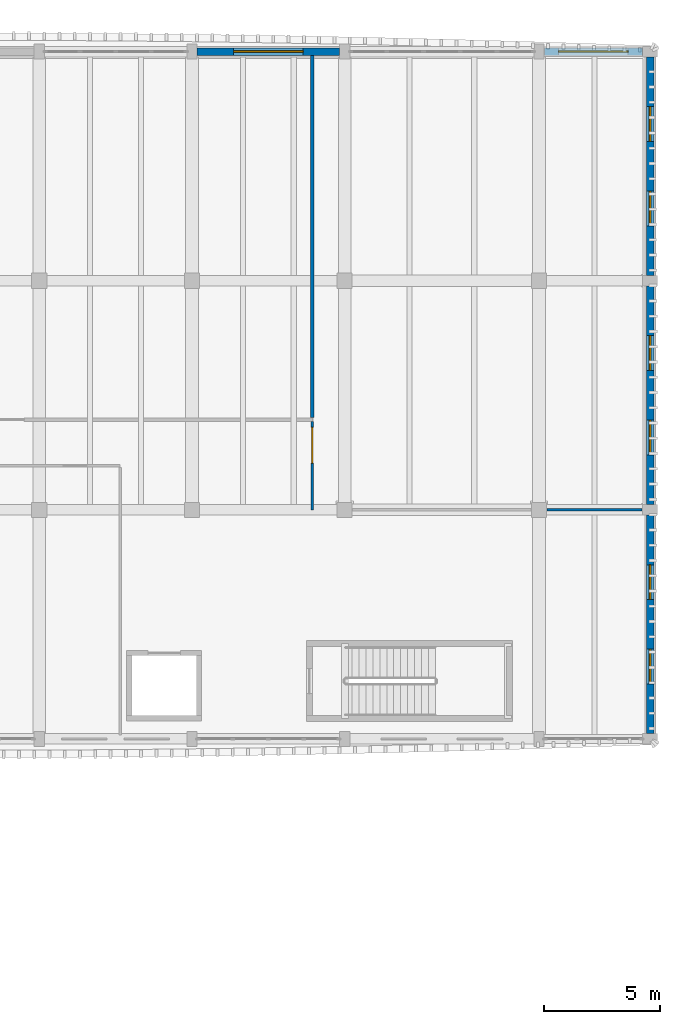
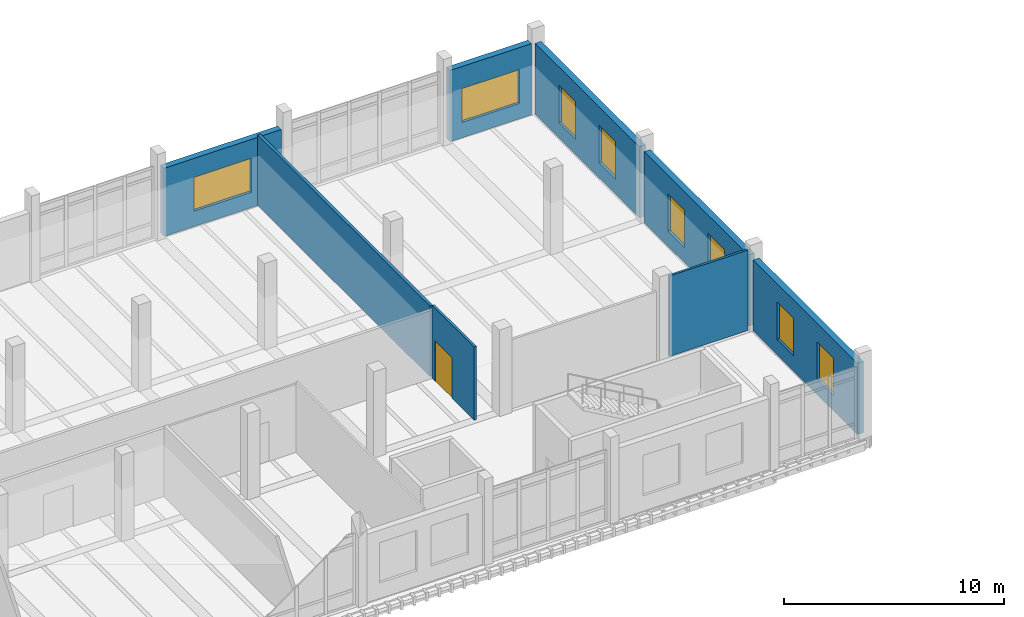
# One storey, part 33 of 50: 8 walls, 8 windows, 1 door, 9 openings.
"""IFC4 building model written with IfcOpenShell, lengths in metres."""

from ifc_helpers import new_model, si_unit, direction, frame, frame_2d, origin, place, context, subcontext, project, spatial, rectangle, extrude, material, layer, layer_set, type_object, element, fill, save


model = new_model("IFC4")

# Units and contexts
model_context = context("Model", 3, precision=1e-05, world=origin(), true_north=direction((0.0, 1.0)))
body_context = subcontext(model_context, "Body", "Model", "MODEL_VIEW")
ifc_project = project(units=[si_unit("LENGTHUNIT", "METRE"), si_unit("AREAUNIT", "SQUARE_METRE"), si_unit("VOLUMEUNIT", "CUBIC_METRE"), si_unit("PLANEANGLEUNIT", "RADIAN"), si_unit("MASSUNIT", "GRAM", prefix="KILO")], contexts=[model_context])

# Site, building, storey
site_placement = place(None, origin())
site = spatial("IfcSite", under=ifc_project, at=site_placement, CompositionType="ELEMENT")
building_placement = place(site_placement, origin())
building = spatial("IfcBuilding", under=site, at=building_placement, Name="Dornvale Research Institute", CompositionType="ELEMENT")
storey_placement = place(building_placement, frame((0.0, 0.0, 19.800048828125)))
storey = spatial("IfcBuildingStorey", under=building, at=storey_placement, Name="L04", CompositionType="ELEMENT", Elevation=19.800048828125)

# Wall
ifc_material_1 = material(Name="Acoustic Insulated Double-Stud Laboratory Partition")
ifc_layer_1 = layer(ifc_material_1, 0.1201171875)
ifc_layer_set_1 = layer_set([ifc_layer_1], Name="Acoustic Insulated Double-Stud Laboratory Partition")
wall_type_1 = type_object("IfcWallType", Name="Partition_Dry_120", PredefinedType="PARTITIONING", material=ifc_layer_set_1)
wall_1_placement = place(storey_placement, frame((173.7451171875, 102.300048828125, 0.0), z_axis=(0.0, 0.0, 1.0), x_axis=(1.0, 0.0, 0.0)))
element("IfcWall", 1, at=wall_1_placement, inside=storey, type_object=wall_type_1, Name="L04 V4 interior partition #438", PredefinedType="PARTITIONING", context=body_context, shape_type="SweptSolid", body=[
    extrude(rectangle(XDim=4.10986328125, YDim=0.1201171875, at=frame_2d((2.054931640625, 0.0))), origin(), (0.0, 0.0, 1.0), 4.4599609375),
])

# Wall, opening, door
wall_2_placement = place(storey_placement, frame((163.60009765625, 102.300048828125, 0.0), z_axis=(0.0, 0.0, 1.0), x_axis=(0.0, 1.0, 0.0)))
wall_2 = element("IfcWall", 2, at=wall_2_placement, inside=storey, type_object=wall_type_1, Name="L04 V4 interior partition #439", PredefinedType="PARTITIONING", context=body_context, shape_type="SweptSolid", body=[
    extrude(rectangle(XDim=3.81005859375, YDim=0.1201171875, at=frame_2d((1.905029296875, 0.0))), origin(), (0.0, 0.0, 1.0), 4.06494140625),
])
opening_1_placement = place(wall_2_placement, frame((2.02001953125, 0.0, 0.0)))
opening_1 = element("IfcOpeningElement", 3, at=opening_1_placement, cuts=wall_2, Name="Opening ID-12", PredefinedType="OPENING", context=body_context, shape_type="SweptSolid", body=[
    extrude(rectangle(XDim=1.5400390625, YDim=2.25, at=frame_2d((0.77001953125, 1.125))), frame((0.0, 0.074951171875, 0.0), z_axis=(0.0, -1.0, 0.0), x_axis=(1.0, 0.0, 0.0)), (0.0, 0.0, 1.0), 0.150146484375),
])
ifc_material_2 = material(Name="Phenolic-Faced Solid-Core Laboratory Door Assembly")
door_type = type_object("IfcDoorType", Name="Door_Seminar_1540x2250", OperationType="SINGLE_SWING_LEFT", PredefinedType="DOOR", material=ifc_material_2)
door_placement = place(opening_1_placement, origin())
door = element("IfcDoor", 4, at=door_placement, inside=storey, type_object=door_type, Name="L04 Isotope Preparation and Seminar Room L04 door #178", OperationType="SINGLE_SWING_LEFT", OverallHeight=2.25, OverallWidth=1.5400390625, PredefinedType="DOOR", context=body_context, shape_type="SweptSolid", body=[
    extrude(rectangle(XDim=1.5400390625, YDim=2.25, at=frame_2d((0.77001953125, 1.125))), frame((0.0, 0.02490234375, 0.0), z_axis=(0.0, -1.0, 0.0), x_axis=(1.0, 0.0, 0.0)), (0.0, 0.0, 1.0), 0.050048828125),
])
fill(opening_1, door)

# Wall
ifc_material_3 = material(Name="Acoustic Insulated Double-Stud Laboratory Partition")
ifc_layer_2 = layer(ifc_material_3, 0.14990234375)
ifc_layer_set_2 = layer_set([ifc_layer_2], Name="Acoustic Insulated Double-Stud Laboratory Partition")
wall_type_2 = type_object("IfcWallType", Name="Partition_Lab_150", PredefinedType="PARTITIONING", material=ifc_layer_set_2)
wall_3_placement = place(storey_placement, frame((163.60009765625, 106.2900390625, 0.0), z_axis=(0.0, 0.0, 1.0), x_axis=(0.0, 1.0, 0.0)))
element("IfcWall", 5, at=wall_3_placement, inside=storey, type_object=wall_type_2, Name="L04 V4 interior partition #436", PredefinedType="PARTITIONING", context=body_context, shape_type="SweptSolid", body=[
    extrude(rectangle(XDim=15.635009765625, YDim=0.14990234375, at=frame_2d((7.8173828125, 0.0))), origin(), (0.0, 0.0, 1.0), 3.929931640625),
])

# Wall, opening, window
ifc_material_4 = material(Name="Catalan Pressed Brick and Insulated Cavity Assembly", Category="masonry")
ifc_layer_3 = layer(ifc_material_4, 0.320068359375)
ifc_layer_set_3 = layer_set([ifc_layer_3], Name="Catalan Pressed Brick and Insulated Cavity Assembly")
wall_type_3 = type_object("IfcWallType", Name="StandardWall_BrickCavity_320", PredefinedType="STANDARD", material=ifc_layer_set_3)
wall_4_placement = place(storey_placement, frame((158.625, 122.10009765625, 0.0), z_axis=(0.0, 0.0, 1.0), x_axis=(1.0, 0.0, 0.0)))
wall_4 = element("IfcWall", 6, at=wall_4_placement, inside=storey, type_object=wall_type_3, Name="L04 V4 north exterior wall #252", PredefinedType="STANDARD", context=body_context, shape_type="SweptSolid", body=[
    extrude(rectangle(XDim=6.14990234375, YDim=0.320068359375, at=frame_2d((3.074951171875, 0.0))), origin(), (0.0, 0.0, 1.0), 3.780029296875),
])
opening_2_placement = place(wall_4_placement, frame((1.574951171875, 0.0, 0.85009765625)))
opening_2 = element("IfcOpeningElement", 7, at=opening_2_placement, cuts=wall_4, Name="Opening W-36", PredefinedType="OPENING", context=body_context, shape_type="SweptSolid", body=[
    extrude(rectangle(XDim=3.0, YDim=1.8798828125, at=frame_2d((1.5, 0.93994140625))), frame((0.0, 0.175048828125, 0.0), z_axis=(0.0, -1.0, 0.0), x_axis=(1.0, 0.0, 0.0)), (0.0, 0.0, 1.0), 0.35009765625),
])
ifc_material_5 = material(Name="Low-E Argon Double Insulating Glazing Unit", Category="glass")
window_type_1 = type_object("IfcWindowType", Name="Window_Alu_3000x1880_36", PartitioningType="DOUBLE_PANEL_VERTICAL", PredefinedType="WINDOW", material=ifc_material_5)
window_1_placement = place(opening_2_placement, origin())
window_1 = element("IfcWindow", 8, at=window_1_placement, inside=storey, type_object=window_type_1, Name="L04 V4 facade window W-36 #341", OverallHeight=1.8798828125, OverallWidth=3.0, PartitioningType="DOUBLE_PANEL_VERTICAL", PredefinedType="WINDOW", context=body_context, shape_type="SweptSolid", body=[
    extrude(rectangle(XDim=3.0, YDim=1.8798828125, at=frame_2d((1.5, 0.93994140625))), frame((0.0, 0.030029296875, 0.0), z_axis=(0.0, -1.0, 0.0), x_axis=(1.0, 0.0, 0.0)), (0.0, 0.0, 1.0), 0.06005859375),
])
fill(opening_2, window_1)

wall_5_placement = place(storey_placement, frame((173.625, 122.10009765625, 0.0), z_axis=(0.0, 0.0, 1.0), x_axis=(1.0, 0.0, 0.0)))
wall_5 = element("IfcWall", 9, at=wall_5_placement, inside=storey, type_object=wall_type_3, Name="L04 V4 north exterior wall #253", PredefinedType="STANDARD", context=body_context, shape_type="SweptSolid", body=[
    extrude(rectangle(XDim=4.25, YDim=0.320068359375, at=frame_2d((2.125, 0.0))), origin(), (0.0, 0.0, 1.0), 3.949951171875),
])
opening_3_placement = place(wall_5_placement, frame((0.625, 0.0, 0.85009765625)))
opening_3 = element("IfcOpeningElement", 10, at=opening_3_placement, cuts=wall_5, Name="Opening W-36", PredefinedType="OPENING", context=body_context, shape_type="SweptSolid", body=[
    extrude(rectangle(XDim=3.0, YDim=1.8798828125, at=frame_2d((1.5, 0.93994140625))), frame((0.0, 0.175048828125, 0.0), z_axis=(0.0, -1.0, 0.0), x_axis=(1.0, 0.0, 0.0)), (0.0, 0.0, 1.0), 0.35009765625),
])
window_2_placement = place(opening_3_placement, origin())
window_2 = element("IfcWindow", 11, at=window_2_placement, inside=storey, type_object=window_type_1, Name="L04 V4 facade window W-36 #342", OverallHeight=1.8798828125, OverallWidth=3.0, PartitioningType="DOUBLE_PANEL_VERTICAL", PredefinedType="WINDOW", context=body_context, shape_type="SweptSolid", body=[
    extrude(rectangle(XDim=3.0, YDim=1.8798828125, at=frame_2d((1.5, 0.93994140625))), frame((0.0, 0.030029296875, 0.0), z_axis=(0.0, -1.0, 0.0), x_axis=(1.0, 0.0, 0.0)), (0.0, 0.0, 1.0), 0.06005859375),
])
fill(opening_3, window_2)

# Wall, openings, windows
wall_6_placement = place(storey_placement, frame((178.199951171875, 121.875, 0.0), z_axis=(0.0, 0.0, 1.0), x_axis=(0.0, -1.0, 0.0)))
wall_6 = element("IfcWall", 12, at=wall_6_placement, inside=storey, type_object=wall_type_3, Name="L04 V4 east exterior wall #254", PredefinedType="STANDARD", context=body_context, shape_type="SweptSolid", body=[
    extrude(rectangle(XDim=9.449951171875, YDim=0.320068359375, at=frame_2d((4.72509765625, 0.0))), origin(), (0.0, 0.0, 1.0), 3.949951171875),
])
opening_4_placement = place(wall_6_placement, frame((2.14990234375, 0.0, 0.85009765625)))
opening_4 = element("IfcOpeningElement", 13, at=opening_4_placement, cuts=wall_6, Name="Opening W-39", PredefinedType="OPENING", context=body_context, shape_type="SweptSolid", body=[
    extrude(rectangle(XDim=1.5, YDim=2.080078125, at=frame_2d((0.75, 1.0400390625))), frame((0.0, 0.175048828125, 0.0), z_axis=(0.0, -1.0, 0.0), x_axis=(1.0, 0.0, 0.0)), (0.0, 0.0, 1.0), 0.35009765625),
])
opening_5_placement = place(wall_6_placement, frame((5.800048828125, 0.0, 0.85009765625)))
opening_5 = element("IfcOpeningElement", 14, at=opening_5_placement, cuts=wall_6, Name="Opening W-39", PredefinedType="OPENING", context=body_context, shape_type="SweptSolid", body=[
    extrude(rectangle(XDim=1.5, YDim=2.080078125, at=frame_2d((0.75, 1.0400390625))), frame((0.0, 0.175048828125, 0.0), z_axis=(0.0, -1.0, 0.0), x_axis=(1.0, 0.0, 0.0)), (0.0, 0.0, 1.0), 0.35009765625),
])
ifc_material_6 = material(Name="Low-E Argon Double Insulating Glazing Unit", Category="glass")
window_type_2 = type_object("IfcWindowType", Name="Window_Alu_1500x2080_39", PartitioningType="SINGLE_PANEL", PredefinedType="WINDOW", material=ifc_material_6)
window_3_placement = place(opening_4_placement, origin())
window_3 = element("IfcWindow", 15, at=window_3_placement, inside=storey, type_object=window_type_2, Name="L04 V4 facade window W-39 #343", OverallHeight=2.080078125, OverallWidth=1.5, PartitioningType="SINGLE_PANEL", PredefinedType="WINDOW", context=body_context, shape_type="SweptSolid", body=[
    extrude(rectangle(XDim=1.5, YDim=2.080078125, at=frame_2d((0.75, 1.0400390625))), frame((0.0, 0.030029296875, 0.0), z_axis=(0.0, -1.0, 0.0), x_axis=(1.0, 0.0, 0.0)), (0.0, 0.0, 1.0), 0.06005859375),
])
fill(opening_4, window_3)
window_4_placement = place(opening_5_placement, origin())
window_4 = element("IfcWindow", 16, at=window_4_placement, inside=storey, type_object=window_type_2, Name="L04 V4 facade window W-39 #344", OverallHeight=2.080078125, OverallWidth=1.5, PartitioningType="SINGLE_PANEL", PredefinedType="WINDOW", context=body_context, shape_type="SweptSolid", body=[
    extrude(rectangle(XDim=1.5, YDim=2.080078125, at=frame_2d((0.75, 1.0400390625))), frame((0.0, 0.030029296875, 0.0), z_axis=(0.0, -1.0, 0.0), x_axis=(1.0, 0.0, 0.0)), (0.0, 0.0, 1.0), 0.06005859375),
])
fill(opening_5, window_4)

wall_7_placement = place(storey_placement, frame((178.199951171875, 111.97509765625, 0.0), z_axis=(0.0, 0.0, 1.0), x_axis=(0.0, -1.0, 0.0)))
wall_7 = element("IfcWall", 17, at=wall_7_placement, inside=storey, type_object=wall_type_3, Name="L04 V4 east exterior wall #255", PredefinedType="STANDARD", context=body_context, shape_type="SweptSolid", body=[
    extrude(rectangle(XDim=9.4501953125, YDim=0.320068359375, at=frame_2d((4.72509765625, 0.0))), origin(), (0.0, 0.0, 1.0), 3.949951171875),
])
opening_6_placement = place(wall_7_placement, frame((2.14990234375, 0.0, 0.85009765625)))
opening_6 = element("IfcOpeningElement", 18, at=opening_6_placement, cuts=wall_7, Name="Opening W-39", PredefinedType="OPENING", context=body_context, shape_type="SweptSolid", body=[
    extrude(rectangle(XDim=1.5, YDim=2.080078125, at=frame_2d((0.75, 1.0400390625))), frame((0.0, 0.175048828125, 0.0), z_axis=(0.0, -1.0, 0.0), x_axis=(1.0, 0.0, 0.0)), (0.0, 0.0, 1.0), 0.35009765625),
])
opening_7_placement = place(wall_7_placement, frame((5.800048828125, 0.0, 0.85009765625)))
opening_7 = element("IfcOpeningElement", 19, at=opening_7_placement, cuts=wall_7, Name="Opening W-39", PredefinedType="OPENING", context=body_context, shape_type="SweptSolid", body=[
    extrude(rectangle(XDim=1.5, YDim=2.080078125, at=frame_2d((0.75, 1.0400390625))), frame((0.0, 0.175048828125, 0.0), z_axis=(0.0, -1.0, 0.0), x_axis=(1.0, 0.0, 0.0)), (0.0, 0.0, 1.0), 0.35009765625),
])
window_5_placement = place(opening_6_placement, origin())
window_5 = element("IfcWindow", 20, at=window_5_placement, inside=storey, type_object=window_type_2, Name="L04 V4 facade window W-39 #345", OverallHeight=2.080078125, OverallWidth=1.5, PartitioningType="SINGLE_PANEL", PredefinedType="WINDOW", context=body_context, shape_type="SweptSolid", body=[
    extrude(rectangle(XDim=1.5, YDim=2.080078125, at=frame_2d((0.75, 1.0400390625))), frame((0.0, 0.030029296875, 0.0), z_axis=(0.0, -1.0, 0.0), x_axis=(1.0, 0.0, 0.0)), (0.0, 0.0, 1.0), 0.06005859375),
])
fill(opening_6, window_5)
window_6_placement = place(opening_7_placement, origin())
window_6 = element("IfcWindow", 21, at=window_6_placement, inside=storey, type_object=window_type_2, Name="L04 V4 facade window W-39 #346", OverallHeight=2.080078125, OverallWidth=1.5, PartitioningType="SINGLE_PANEL", PredefinedType="WINDOW", context=body_context, shape_type="SweptSolid", body=[
    extrude(rectangle(XDim=1.5, YDim=2.080078125, at=frame_2d((0.75, 1.0400390625))), frame((0.0, 0.030029296875, 0.0), z_axis=(0.0, -1.0, 0.0), x_axis=(1.0, 0.0, 0.0)), (0.0, 0.0, 1.0), 0.06005859375),
])
fill(opening_7, window_6)

wall_8_placement = place(storey_placement, frame((178.199951171875, 102.074951171875, 0.0), z_axis=(0.0, 0.0, 1.0), x_axis=(0.0, -1.0, 0.0)))
wall_8 = element("IfcWall", 22, at=wall_8_placement, inside=storey, type_object=wall_type_3, Name="L04 V4 east exterior wall #256", PredefinedType="STANDARD", context=body_context, shape_type="SweptSolid", body=[
    extrude(rectangle(XDim=9.449951171875, YDim=0.320068359375, at=frame_2d((4.72509765625, 0.0))), origin(), (0.0, 0.0, 1.0), 3.949951171875),
])
opening_8_placement = place(wall_8_placement, frame((2.14990234375, 0.0, 0.85009765625)))
opening_8 = element("IfcOpeningElement", 23, at=opening_8_placement, cuts=wall_8, Name="Opening W-39", PredefinedType="OPENING", context=body_context, shape_type="SweptSolid", body=[
    extrude(rectangle(XDim=1.5, YDim=2.080078125, at=frame_2d((0.75, 1.0400390625))), frame((0.0, 0.175048828125, 0.0), z_axis=(0.0, -1.0, 0.0), x_axis=(1.0, 0.0, 0.0)), (0.0, 0.0, 1.0), 0.35009765625),
])
opening_9_placement = place(wall_8_placement, frame((5.800048828125, 0.0, 0.85009765625)))
opening_9 = element("IfcOpeningElement", 24, at=opening_9_placement, cuts=wall_8, Name="Opening W-39", PredefinedType="OPENING", context=body_context, shape_type="SweptSolid", body=[
    extrude(rectangle(XDim=1.5, YDim=2.080078125, at=frame_2d((0.75, 1.0400390625))), frame((0.0, 0.175048828125, 0.0), z_axis=(0.0, -1.0, 0.0), x_axis=(1.0, 0.0, 0.0)), (0.0, 0.0, 1.0), 0.35009765625),
])
window_7_placement = place(opening_8_placement, origin())
window_7 = element("IfcWindow", 25, at=window_7_placement, inside=storey, type_object=window_type_2, Name="L04 V4 facade window W-39 #347", OverallHeight=2.080078125, OverallWidth=1.5, PartitioningType="SINGLE_PANEL", PredefinedType="WINDOW", context=body_context, shape_type="SweptSolid", body=[
    extrude(rectangle(XDim=1.5, YDim=2.080078125, at=frame_2d((0.75, 1.0400390625))), frame((0.0, 0.030029296875, 0.0), z_axis=(0.0, -1.0, 0.0), x_axis=(1.0, 0.0, 0.0)), (0.0, 0.0, 1.0), 0.06005859375),
])
fill(opening_8, window_7)
window_8_placement = place(opening_9_placement, origin())
window_8 = element("IfcWindow", 26, at=window_8_placement, inside=storey, type_object=window_type_2, Name="L04 V4 facade window W-39 #348", OverallHeight=2.080078125, OverallWidth=1.5, PartitioningType="SINGLE_PANEL", PredefinedType="WINDOW", context=body_context, shape_type="SweptSolid", body=[
    extrude(rectangle(XDim=1.5, YDim=2.080078125, at=frame_2d((0.75, 1.0400390625))), frame((0.0, 0.030029296875, 0.0), z_axis=(0.0, -1.0, 0.0), x_axis=(1.0, 0.0, 0.0)), (0.0, 0.0, 1.0), 0.06005859375),
])
fill(opening_9, window_8)

save(model, "model.ifc")
